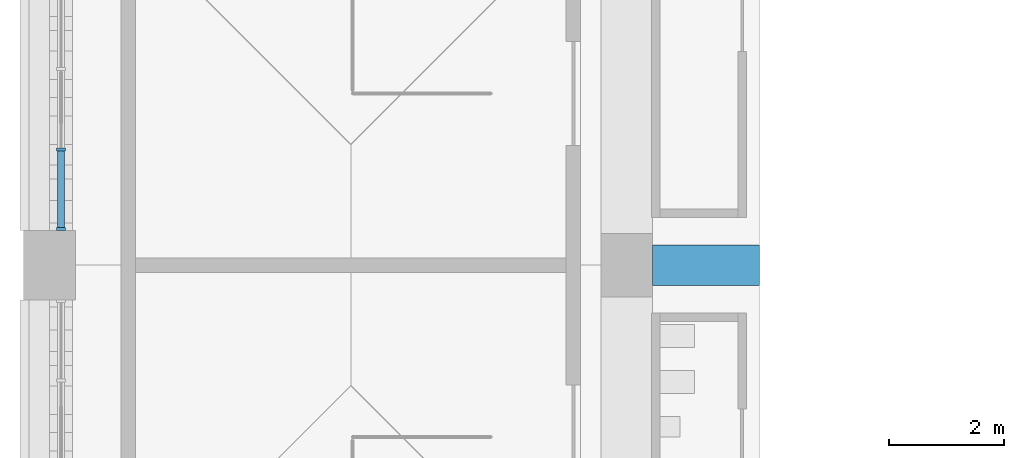
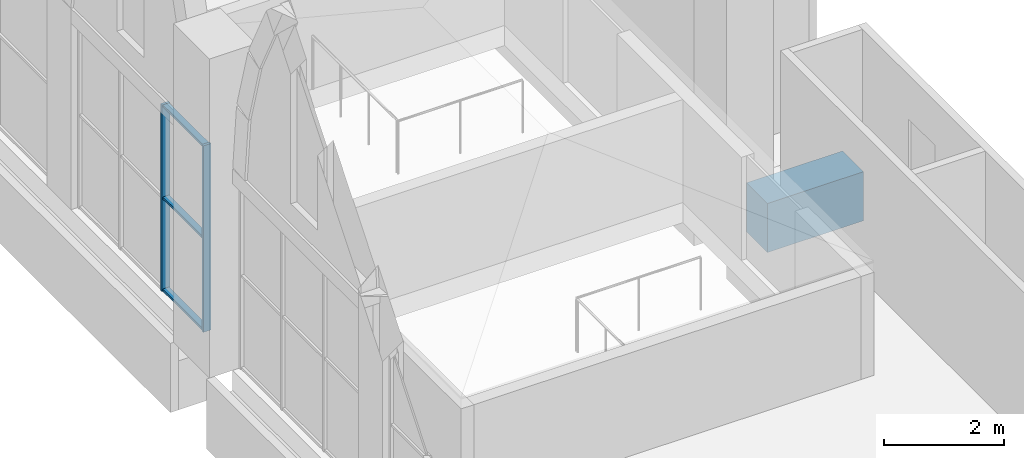
# One storey, part 16 of 130: 5 members, 1 beam, 1 element without a shape of its own.
"""IFC4 building model written with IfcOpenShell, lengths in metres."""

from ifc_helpers import new_model, si_unit, direction, frame, origin, origin_2d, place, context, subcontext, project, spatial, rectangle, extrude, material, material_profile, profile_set, type_object, element, aggregate, save


model = new_model("IFC4")

# Units and contexts
model_context = context("Model", 3, precision=1e-05, world=origin(), true_north=direction((0.0, 1.0)))
body_context = subcontext(model_context, "Body", "Model", "MODEL_VIEW")
ifc_project = project(units=[si_unit("LENGTHUNIT", "METRE"), si_unit("AREAUNIT", "SQUARE_METRE"), si_unit("VOLUMEUNIT", "CUBIC_METRE"), si_unit("PLANEANGLEUNIT", "RADIAN"), si_unit("MASSUNIT", "GRAM", prefix="KILO")], contexts=[model_context])

# Site, building, storey
site_placement = place(None, origin())
site = spatial("IfcSite", under=ifc_project, at=site_placement, CompositionType="ELEMENT")
building_placement = place(site_placement, origin())
building = spatial("IfcBuilding", under=site, at=building_placement, Name="Ogive Plaza Stadium", CompositionType="ELEMENT")
storey_placement = place(building_placement, frame((0.0, 0.0, 22.5)))
storey = spatial("IfcBuildingStorey", under=building, at=storey_placement, Name="L05", CompositionType="ELEMENT", Elevation=22.5)

# Curtain wall, members
ifc_material_1 = material(Name="Bronze-anodised aluminium with laminated glass", Category="aluminium")
curtain_wall_type = type_object("IfcCurtainWallType", Name="Lancet curtain wall", PredefinedType="NOTDEFINED", material=ifc_material_1)
curtain_wall_placement = place(storey_placement, origin())
curtain_wall = element("IfcCurtainWall", 1, at=curtain_wall_placement, inside=storey, type_object=curtain_wall_type, Name="CURTAIN WALL B26 L05", PredefinedType="NOTDEFINED")
ifc_material_2 = material(Name="Bronze-anodised aluminium", Category="aluminium")
ifc_material_profile_1 = material_profile(ifc_material_2, rectangle(XDim=0.14990234375, YDim=0.050048828125, at=origin_2d()), Name="AL 150x50")
ifc_profile_set_1 = profile_set([ifc_material_profile_1], Name="Bronze-anodised aluminium")
member_type_1 = type_object("IfcMemberType", Name="Curtain wall mullion 50x150", PredefinedType="MULLION", material=ifc_profile_set_1)
member_1_placement = place(storey_placement, frame((-83.800048828125, 23.125, 0.0), z_axis=(0.0, 0.0, 1.0), x_axis=(-1.0, 0.0, 0.0)))
member_1 = element("IfcMember", 2, at=member_1_placement, type_object=member_type_1, Name="CW-B26-L05.1 mullion 1", PredefinedType="MULLION", context=body_context, shape_type="SweptSolid", body=[
    extrude(rectangle(XDim=0.14990234375, YDim=0.050048828125, at=origin_2d()), origin(), (0.0, 0.0, 1.0), 3.800048828125),
])
member_2_placement = place(storey_placement, frame((-83.800048828125, 24.5, 0.0), z_axis=(0.0, 0.0, 1.0), x_axis=(-1.0, 0.0, 0.0)))
member_2 = element("IfcMember", 3, at=member_2_placement, type_object=member_type_1, Name="CW-B26-L05.1 mullion 2", PredefinedType="MULLION", context=body_context, shape_type="SweptSolid", body=[
    extrude(rectangle(XDim=0.14990234375, YDim=0.050048828125, at=origin_2d()), origin(), (0.0, 0.0, 1.0), 3.800048828125),
])
ifc_material_3 = material(Name="Bronze-anodised aluminium", Category="aluminium")
ifc_material_profile_2 = material_profile(ifc_material_3, rectangle(XDim=0.1201171875, YDim=0.050048828125, at=origin_2d()), Name="AL 120x50")
ifc_profile_set_2 = profile_set([ifc_material_profile_2], Name="Bronze-anodised aluminium")
member_type_2 = type_object("IfcMemberType", Name="Curtain wall transom 50x120", PredefinedType="USERDEFINED", material=ifc_profile_set_2)
member_3_placement = place(storey_placement, frame((-83.800048828125, 23.14990234375, 0.02490234375), z_axis=(0.0, 1.0, 0.0), x_axis=(-1.0, 0.0, 0.0)))
member_3 = element("IfcMember", 4, at=member_3_placement, type_object=member_type_2, Name="CW-B26-L05.1 transom 1.1", ObjectType="TRANSOM", PredefinedType="USERDEFINED", context=body_context, shape_type="SweptSolid", body=[
    extrude(rectangle(XDim=0.1201171875, YDim=0.050048828125, at=origin_2d()), origin(), (0.0, 0.0, 1.0), 1.3251953125),
])
member_4_placement = place(storey_placement, frame((-83.800048828125, 23.14990234375, 1.89990234375), z_axis=(0.0, 1.0, 0.0), x_axis=(-1.0, 0.0, 0.0)))
member_4 = element("IfcMember", 5, at=member_4_placement, type_object=member_type_2, Name="CW-B26-L05.1 transom 1.2", ObjectType="TRANSOM", PredefinedType="USERDEFINED", context=body_context, shape_type="SweptSolid", body=[
    extrude(rectangle(XDim=0.1201171875, YDim=0.050048828125, at=origin_2d()), origin(), (0.0, 0.0, 1.0), 1.3251953125),
])
member_5_placement = place(storey_placement, frame((-83.800048828125, 23.14990234375, 3.77490234375), z_axis=(0.0, 1.0, 0.0), x_axis=(-1.0, 0.0, 0.0)))
member_5 = element("IfcMember", 6, at=member_5_placement, type_object=member_type_2, Name="CW-B26-L05.1 transom 1.3", ObjectType="TRANSOM", PredefinedType="USERDEFINED", context=body_context, shape_type="SweptSolid", body=[
    extrude(rectangle(XDim=0.1201171875, YDim=0.050048828125, at=origin_2d()), origin(), (0.0, 0.0, 1.0), 1.3251953125),
])
aggregate(curtain_wall, [member_1, member_2, member_3, member_4, member_5])

# Beam
ifc_material_4 = material(Name="Concrete C40/50", Category="concrete")
ifc_material_profile_3 = material_profile(ifc_material_4, rectangle(XDim=0.699951171875, YDim=1.0, at=origin_2d()), Name="RC 700x1000")
ifc_profile_set_3 = profile_set([ifc_material_profile_3], Name="Concrete C40/50")
beam_type = type_object("IfcBeamType", Name="RC radial beam 700x1000", PredefinedType="BEAM", material=ifc_profile_set_3)
beam_placement = place(storey_placement, frame((-71.699951171875, 22.5, -0.909912109375), z_axis=(-1.0, 0.0, 0.0), x_axis=(0.0, -1.0, 0.0)))
element("IfcBeam", 7, at=beam_placement, inside=storey, type_object=beam_type, Name="Raker tail beam UT R26", PredefinedType="BEAM", context=body_context, shape_type="SweptSolid", body=[
    extrude(rectangle(XDim=0.699951171875, YDim=1.0, at=origin_2d()), origin(), (0.0, 0.0, 1.0), 1.85009765625),
])

save(model, "model.ifc")
